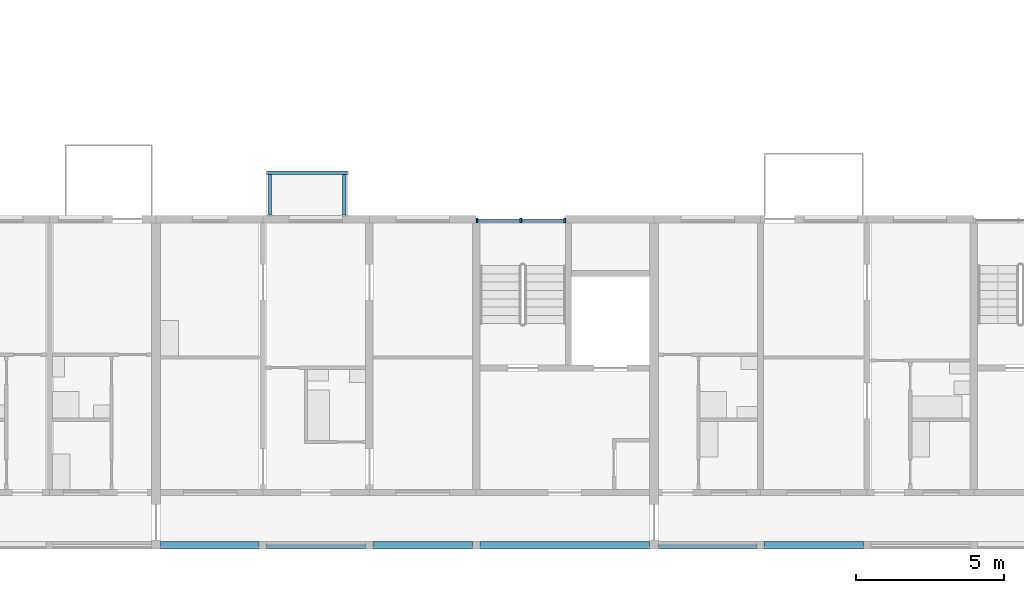
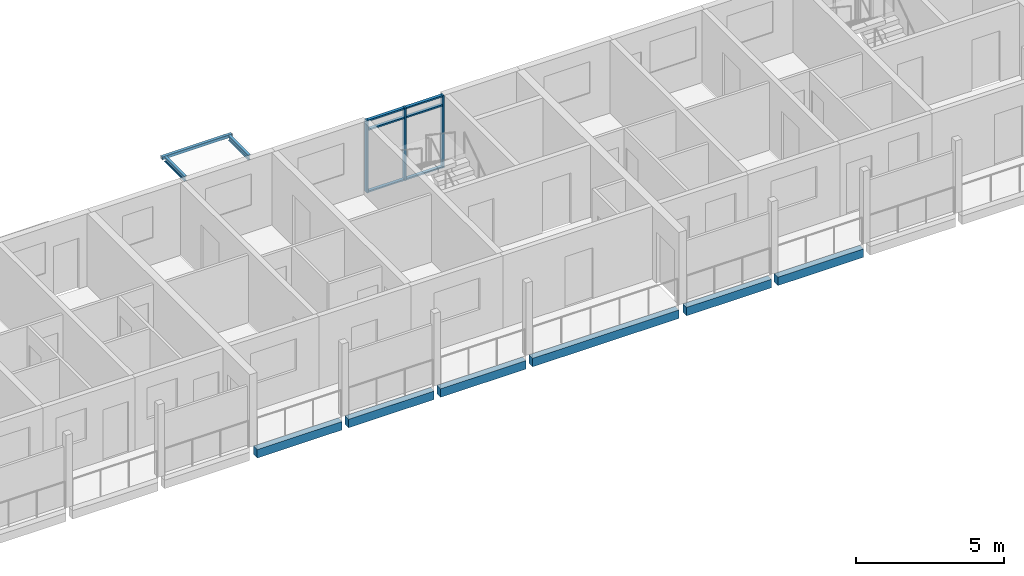
# One storey, part 13 of 99: 9 beams, 9 members, 1 element without a shape of its own.
"""IFC4 building model written with IfcOpenShell, lengths in metres."""

from ifc_helpers import new_model, si_unit, direction, frame, origin, origin_2d, place, context, subcontext, project, spatial, rectangle, hollow_rectangle, i_section, extrude, material, material_profile, profile_set, type_object, element, aggregate, save


model = new_model("IFC4")

# Units and contexts
model_context = context("Model", 3, precision=1e-05, world=origin(), true_north=direction((0.0, 1.0)))
body_context = subcontext(model_context, "Body", "Model", "MODEL_VIEW")
ifc_project = project(units=[si_unit("LENGTHUNIT", "METRE"), si_unit("AREAUNIT", "SQUARE_METRE"), si_unit("VOLUMEUNIT", "CUBIC_METRE"), si_unit("PLANEANGLEUNIT", "RADIAN"), si_unit("MASSUNIT", "GRAM", prefix="KILO")], contexts=[model_context])

# Site, building, storey
site_placement = place(None, origin())
site = spatial("IfcSite", under=ifc_project, at=site_placement, CompositionType="ELEMENT")
building_placement = place(site_placement, origin())
building = spatial("IfcBuilding", under=site, at=building_placement, Name="Ridgestep Commons", CompositionType="ELEMENT")
storey_placement = place(building_placement, frame((0.0, 0.0, 15.0)))
storey = spatial("IfcBuildingStorey", under=building, at=storey_placement, Name="L05", CompositionType="ELEMENT", Elevation=15.0)

# Beams
ifc_material_1 = material(Name="Precast concrete C40/50", Category="concrete")
ifc_material_profile_1 = material_profile(ifc_material_1, rectangle(XDim=0.25, YDim=0.35009765625, at=origin_2d()), Name="PC 250x350")
ifc_profile_set_1 = profile_set([ifc_material_profile_1], Name="Precast concrete C40/50")
beam_type_1 = type_object("IfcBeamType", Name="Loggia edge beam 250 x 350", PredefinedType="SPANDREL", material=ifc_profile_set_1)
beam_1_placement = place(storey_placement, frame((180.550048828125, 11.875, -0.375), z_axis=(1.0, 0.0, 0.0), x_axis=(0.0, 1.0, 0.0)))
element("IfcBeam", 1, at=beam_1_placement, inside=storey, type_object=beam_type_1, Name="Loggia edge beam D3T1 L05", PredefinedType="SPANDREL", context=body_context, shape_type="SweptSolid", body=[
    extrude(rectangle(XDim=0.25, YDim=0.35009765625, at=origin_2d()), origin(), (0.0, 0.0, 1.0), 3.324951171875),
])
beam_2_placement = place(storey_placement, frame((184.125, 11.875, -0.375), z_axis=(1.0, 0.0, 0.0), x_axis=(0.0, 1.0, 0.0)))
element("IfcBeam", 2, at=beam_2_placement, inside=storey, type_object=beam_type_1, Name="Loggia edge beam D3T2 L05", PredefinedType="SPANDREL", context=body_context, shape_type="SweptSolid", body=[
    extrude(rectangle(XDim=0.25, YDim=0.35009765625, at=origin_2d()), origin(), (0.0, 0.0, 1.0), 3.35009765625),
])
beam_3_placement = place(storey_placement, frame((187.72509765625, 11.875, -0.375), z_axis=(1.0, 0.0, 0.0), x_axis=(0.0, 1.0, 0.0)))
element("IfcBeam", 3, at=beam_3_placement, inside=storey, type_object=beam_type_1, Name="Loggia edge beam D3T3 L05", PredefinedType="SPANDREL", context=body_context, shape_type="SweptSolid", body=[
    extrude(rectangle(XDim=0.25, YDim=0.35009765625, at=origin_2d()), origin(), (0.0, 0.0, 1.0), 3.349853515625),
])
beam_4_placement = place(storey_placement, frame((191.324951171875, 11.875, -0.375), z_axis=(1.0, 0.0, 0.0), x_axis=(0.0, 1.0, 0.0)))
element("IfcBeam", 4, at=beam_4_placement, inside=storey, type_object=beam_type_1, Name="Loggia edge beam D3C L05", PredefinedType="SPANDREL", context=body_context, shape_type="SweptSolid", body=[
    extrude(rectangle(XDim=0.25, YDim=0.35009765625, at=origin_2d()), origin(), (0.0, 0.0, 1.0), 5.72509765625),
])
beam_5_placement = place(storey_placement, frame((197.35009765625, 11.875, -0.375), z_axis=(1.0, 0.0, 0.0), x_axis=(0.0, 1.0, 0.0)))
element("IfcBeam", 5, at=beam_5_placement, inside=storey, type_object=beam_type_1, Name="Loggia edge beam D4T1 L05", PredefinedType="SPANDREL", context=body_context, shape_type="SweptSolid", body=[
    extrude(rectangle(XDim=0.25, YDim=0.35009765625, at=origin_2d()), origin(), (0.0, 0.0, 1.0), 3.324951171875),
])
beam_6_placement = place(storey_placement, frame((200.925048828125, 11.875, -0.375), z_axis=(1.0, 0.0, 0.0), x_axis=(0.0, 1.0, 0.0)))
element("IfcBeam", 6, at=beam_6_placement, inside=storey, type_object=beam_type_1, Name="Loggia edge beam D4T2 L05", PredefinedType="SPANDREL", context=body_context, shape_type="SweptSolid", body=[
    extrude(rectangle(XDim=0.25, YDim=0.35009765625, at=origin_2d()), origin(), (0.0, 0.0, 1.0), 3.349853515625),
])

# Curtain wall, members
ifc_material_2 = material(Name="Aluminium 6063-T6 and glass", Category="aluminium")
curtain_wall_type = type_object("IfcCurtainWallType", Name="Curtain wall stair strip", PredefinedType="NOTDEFINED", material=ifc_material_2)
curtain_wall_placement = place(storey_placement, origin())
curtain_wall = element("IfcCurtainWall", 7, at=curtain_wall_placement, inside=storey, type_object=curtain_wall_type, Name="Curtain wall D3C level 05", PredefinedType="NOTDEFINED")
ifc_material_3 = material(Name="Aluminium 6063-T6", Category="aluminium")
ifc_material_profile_2 = material_profile(ifc_material_3, rectangle(XDim=0.159912109375, YDim=0.06005859375, at=origin_2d()), Name="Mullion 60 x 160")
ifc_profile_set_2 = profile_set([ifc_material_profile_2], Name="Aluminium 6063-T6")
member_type_1 = type_object("IfcMemberType", Name="Mullion 60 x 160", PredefinedType="MULLION", material=ifc_profile_set_2)
member_1_placement = place(storey_placement, frame((191.22998046875, 22.830078125, 0.0), z_axis=(0.0, 0.0, 1.0), x_axis=(0.0, 1.0, 0.0)))
member_1 = element("IfcMember", 8, at=member_1_placement, type_object=member_type_1, Name="CW1 mullion 1", PredefinedType="MULLION", context=body_context, shape_type="SweptSolid", body=[
    extrude(rectangle(XDim=0.159912109375, YDim=0.06005859375, at=origin_2d()), origin(), (0.0, 0.0, 1.0), 3.0),
])
member_2_placement = place(storey_placement, frame((192.71240234375, 22.830078125, 0.0), z_axis=(0.0, 0.0, 1.0), x_axis=(0.0, 1.0, 0.0)))
member_2 = element("IfcMember", 9, at=member_2_placement, type_object=member_type_1, Name="CW1 mullion 2", PredefinedType="MULLION", context=body_context, shape_type="SweptSolid", body=[
    extrude(rectangle(XDim=0.159912109375, YDim=0.06005859375, at=origin_2d()), origin(), (0.0, 0.0, 1.0), 3.0),
])
member_3_placement = place(storey_placement, frame((194.195068359375, 22.830078125, 0.0), z_axis=(0.0, 0.0, 1.0), x_axis=(0.0, 1.0, 0.0)))
member_3 = element("IfcMember", 10, at=member_3_placement, type_object=member_type_1, Name="CW1 mullion 3", PredefinedType="MULLION", context=body_context, shape_type="SweptSolid", body=[
    extrude(rectangle(XDim=0.159912109375, YDim=0.06005859375, at=origin_2d()), origin(), (0.0, 0.0, 1.0), 3.0),
])
ifc_material_4 = material(Name="Aluminium 6063-T6", Category="aluminium")
ifc_material_profile_3 = material_profile(ifc_material_4, rectangle(XDim=0.1201171875, YDim=0.06005859375, at=origin_2d()), Name="Transom 60 x 120")
ifc_profile_set_3 = profile_set([ifc_material_profile_3], Name="Aluminium 6063-T6")
member_type_2 = type_object("IfcMemberType", Name="Transom 60 x 120", PredefinedType="USERDEFINED", material=ifc_profile_set_3)
member_4_placement = place(storey_placement, frame((191.260009765625, 22.830078125, 0.030029296875), z_axis=(1.0, 0.0, 0.0), x_axis=(0.0, 1.0, 0.0)))
member_4 = element("IfcMember", 11, at=member_4_placement, type_object=member_type_2, Name="CW1 transom 1.1", ObjectType="TRANSOM", PredefinedType="USERDEFINED", context=body_context, shape_type="SweptSolid", body=[
    extrude(rectangle(XDim=0.1201171875, YDim=0.06005859375, at=origin_2d()), origin(), (0.0, 0.0, 1.0), 1.422607421875),
])
member_5_placement = place(storey_placement, frame((191.260009765625, 22.830078125, 2.590087890625), z_axis=(1.0, 0.0, 0.0), x_axis=(0.0, 1.0, 0.0)))
member_5 = element("IfcMember", 12, at=member_5_placement, type_object=member_type_2, Name="CW1 transom 1.2", ObjectType="TRANSOM", PredefinedType="USERDEFINED", context=body_context, shape_type="SweptSolid", body=[
    extrude(rectangle(XDim=0.1201171875, YDim=0.06005859375, at=origin_2d()), origin(), (0.0, 0.0, 1.0), 1.422607421875),
])
member_6_placement = place(storey_placement, frame((191.260009765625, 22.830078125, 2.969970703125), z_axis=(1.0, 0.0, 0.0), x_axis=(0.0, 1.0, 0.0)))
member_6 = element("IfcMember", 13, at=member_6_placement, type_object=member_type_2, Name="CW1 transom 1.3", ObjectType="TRANSOM", PredefinedType="USERDEFINED", context=body_context, shape_type="SweptSolid", body=[
    extrude(rectangle(XDim=0.1201171875, YDim=0.06005859375, at=origin_2d()), origin(), (0.0, 0.0, 1.0), 1.422607421875),
])
member_7_placement = place(storey_placement, frame((192.742431640625, 22.830078125, 0.030029296875), z_axis=(1.0, 0.0, 0.0), x_axis=(0.0, 1.0, 0.0)))
member_7 = element("IfcMember", 14, at=member_7_placement, type_object=member_type_2, Name="CW1 transom 2.1", ObjectType="TRANSOM", PredefinedType="USERDEFINED", context=body_context, shape_type="SweptSolid", body=[
    extrude(rectangle(XDim=0.1201171875, YDim=0.06005859375, at=origin_2d()), origin(), (0.0, 0.0, 1.0), 1.422607421875),
])
member_8_placement = place(storey_placement, frame((192.742431640625, 22.830078125, 2.590087890625), z_axis=(1.0, 0.0, 0.0), x_axis=(0.0, 1.0, 0.0)))
member_8 = element("IfcMember", 15, at=member_8_placement, type_object=member_type_2, Name="CW1 transom 2.2", ObjectType="TRANSOM", PredefinedType="USERDEFINED", context=body_context, shape_type="SweptSolid", body=[
    extrude(rectangle(XDim=0.1201171875, YDim=0.06005859375, at=origin_2d()), origin(), (0.0, 0.0, 1.0), 1.422607421875),
])
member_9_placement = place(storey_placement, frame((192.742431640625, 22.830078125, 2.969970703125), z_axis=(1.0, 0.0, 0.0), x_axis=(0.0, 1.0, 0.0)))
member_9 = element("IfcMember", 16, at=member_9_placement, type_object=member_type_2, Name="CW1 transom 2.3", ObjectType="TRANSOM", PredefinedType="USERDEFINED", context=body_context, shape_type="SweptSolid", body=[
    extrude(rectangle(XDim=0.1201171875, YDim=0.06005859375, at=origin_2d()), origin(), (0.0, 0.0, 1.0), 1.422607421875),
])
aggregate(curtain_wall, [member_1, member_2, member_3, member_4, member_5, member_6, member_7, member_8, member_9])

# Beams
ifc_material_5 = material(Name="Weathering steel S355J2W", Category="steel")
ifc_material_profile_4 = material_profile(ifc_material_5, i_section(OverallWidth=0.101806640625, OverallDepth=0.203125, WebThickness=0.00537109375, FlangeThickness=0.00927734375, FilletRadius=0.007568359375, at=origin_2d()), Name="UB 203x102x23")
ifc_profile_set_4 = profile_set([ifc_material_profile_4], Name="Weathering steel S355J2W")
beam_type_2 = type_object("IfcBeamType", Name="Tray arm UB 203x102x23", PredefinedType="BEAM", material=ifc_profile_set_4)
for number, where, z_axis, x_axis, name in (
    (17, (184.25, 23.014892578125, 2.888427734375), (0.0, 1.0, 0.0), (-1.0, 0.0, 0.0), "Tray arm D3T2-06.1"),
    (18, (186.75, 23.014892578125, 2.888427734375), (0.0, 1.0, 0.0), (-1.0, 0.0, 0.0), "Tray arm D3T2-06.2"),
):
    element("IfcBeam", number, at=place(storey_placement, frame(where, z_axis=z_axis, x_axis=x_axis)), inside=storey, type_object=beam_type_2, Name=name, PredefinedType="BEAM", context=body_context, shape_type="SweptSolid", body=[
        extrude(i_section(OverallWidth=0.101806640625, OverallDepth=0.203125, WebThickness=0.00537109375, FlangeThickness=0.00927734375, FilletRadius=0.007568359375, at=origin_2d()), origin(), (0.0, 0.0, 1.0), 1.364990234375),
    ])
ifc_material_6 = material(Name="Weathering steel S355J2W", Category="steel")
ifc_material_profile_5 = material_profile(ifc_material_6, hollow_rectangle(XDim=0.1201171875, YDim=0.1201171875, WallThickness=0.00634765625, InnerFilletRadius=0.00634765625, OuterFilletRadius=0.009521484375, at=origin_2d()), Name="SHS 120x120x6.3")
ifc_profile_set_5 = profile_set([ifc_material_profile_5], Name="Weathering steel S355J2W")
beam_type_3 = type_object("IfcBeamType", Name="Tray edge member SHS 120x120x6.3", PredefinedType="BEAM", material=ifc_profile_set_5)
beam_7_placement = place(storey_placement, frame((184.1298828125, 24.43994140625, 2.929931640625), z_axis=(1.0, 0.0, 0.0), x_axis=(0.0, 0.0, 1.0)))
element("IfcBeam", 19, at=beam_7_placement, inside=storey, type_object=beam_type_3, Name="Tray edge member D3T2-06", PredefinedType="BEAM", context=body_context, shape_type="SweptSolid", body=[
    extrude(hollow_rectangle(XDim=0.1201171875, YDim=0.1201171875, WallThickness=0.00634765625, InnerFilletRadius=0.00634765625, OuterFilletRadius=0.009521484375, at=origin_2d()), origin(), (0.0, 0.0, 1.0), 2.740234375),
])

save(model, "model.ifc")
